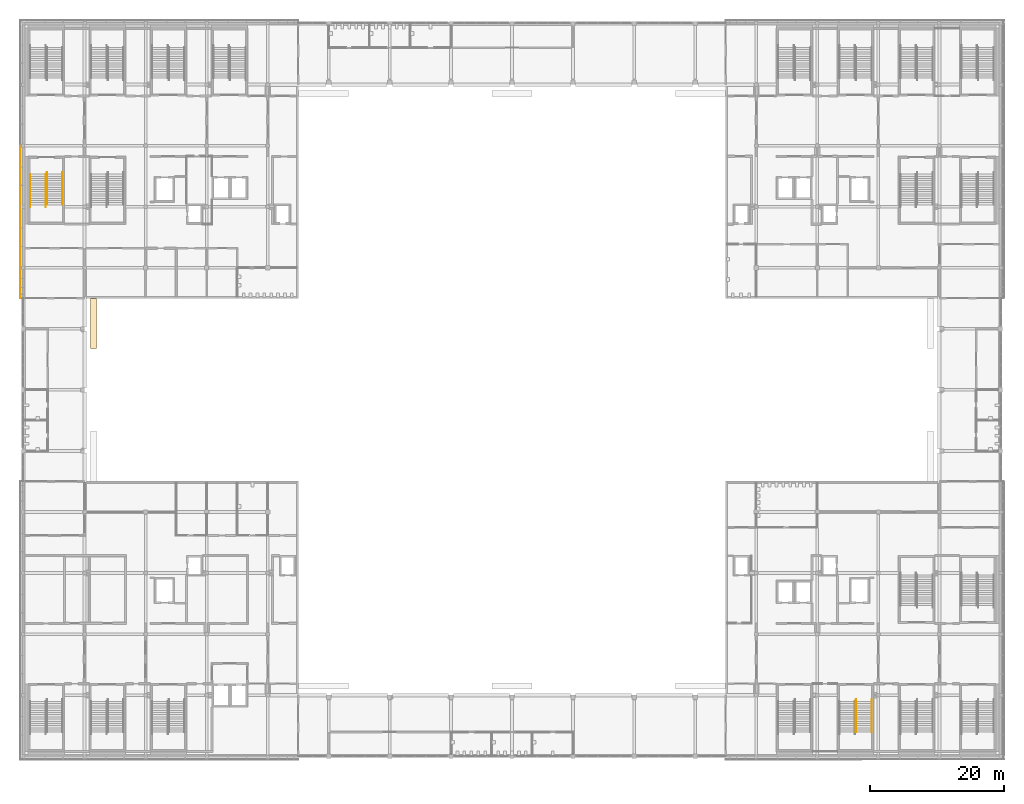
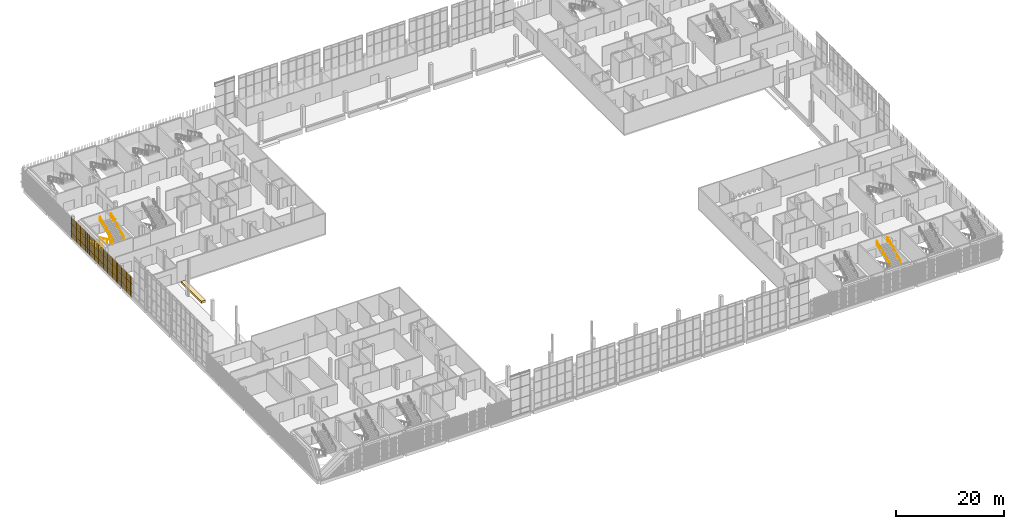
# One storey, part 78 of 91: 6 railings, 3 shading devices, 1 covering.
"""IFC4 building model written with IfcOpenShell, lengths in metres."""

from ifc_helpers import new_model, si_unit, direction, frame, origin, origin_2d, place, context, subcontext, project, spatial, polyline, rectangle, circle, outline, extrude, material, layer, layer_set, type_object, element, save


model = new_model("IFC4")

# Units and contexts
model_context = context("Model", 3, precision=1e-05, world=origin(), true_north=direction((0.0, 1.0)))
body_context = subcontext(model_context, "Body", "Model", "MODEL_VIEW")
ifc_project = project(units=[si_unit("LENGTHUNIT", "METRE"), si_unit("AREAUNIT", "SQUARE_METRE"), si_unit("VOLUMEUNIT", "CUBIC_METRE"), si_unit("PLANEANGLEUNIT", "RADIAN"), si_unit("MASSUNIT", "GRAM", prefix="KILO")], contexts=[model_context])

# Site, building, storey
site_placement = place(None, origin())
site = spatial("IfcSite", under=ifc_project, at=site_placement, CompositionType="ELEMENT")
building_placement = place(site_placement, origin())
building = spatial("IfcBuilding", under=site, at=building_placement, Name="Shirokan Park Arena", CompositionType="ELEMENT")
storey_placement = place(building_placement, frame((0.0, 0.0, 24.570068359375)))
storey = spatial("IfcBuildingStorey", under=building, at=storey_placement, Name="L05", CompositionType="ELEMENT", Elevation=24.570068359375)

# Covering
ifc_material_1 = material(Name="Concrete screed on the tier", Category="concrete")
ifc_layer = layer(ifc_material_1, 0.47998046875)
ifc_layer_set = layer_set([ifc_layer], Name="Concrete screed on the tier 480 mm")
covering_type = type_object("IfcCoveringType", Name="Platform floor infill 480", PredefinedType="FLOORING", material=ifc_layer_set)
covering_placement = place(storey_placement, frame((0.0, 0.0, -0.47998046875)))
element("IfcCovering", 1, at=covering_placement, inside=storey, type_object=covering_type, Name="Wheelchair Platform Floor W2 Upper Tier", PredefinedType="FLOORING", context=body_context, shape_type="SweptSolid", body=[
    extrude(outline(polyline([(10.89990234375, 60.75), (10.89990234375, 68.25), (10.0, 68.25), (10.0, 60.75), (10.89990234375, 60.75)])), origin(), (0.0, 0.0, 1.0), 0.47998046875),
])

# Railings
ifc_material_2 = material(Name="Stainless steel", Category="steel")
railing_type = type_object("IfcRailingType", Name="Stair handrail 900", PredefinedType="HANDRAIL", material=ifc_material_2)
railing_1_placement = place(storey_placement, frame((124.090087890625, 3.576171875, 2.426513671875)))
element("IfcRailing", 2, at=railing_1_placement, inside=storey, type_object=railing_type, Name="Handrail Exit Stair 2.C L05 to L06", PredefinedType="HANDRAIL", context=body_context, shape_type="SweptSolid", body=[
    extrude(circle(Radius=0.02392578125, at=origin_2d()), frame((0.0, 0.0, 0.8759765625), z_axis=(0.0, 0.907029769225, 0.421066500378), x_axis=(-1.0, 0.0, 0.0)), (0.0, 0.0, 1.0), 1.44091796875),
    extrude(circle(Radius=0.02392578125, at=origin_2d()), frame((0.0, 1.306884765625, 1.482421875), z_axis=(0.0, 0.906999720516, 0.421131222998), x_axis=(-1.0, 0.0, 0.0)), (0.0, 0.0, 1.0), 1.440673828125),
    extrude(circle(Radius=0.02392578125, at=origin_2d()), frame((0.0, 2.613525390625, 2.08935546875), z_axis=(0.0, 0.907029769225, 0.421066500378), x_axis=(-1.0, 0.0, 0.0)), (0.0, 0.0, 1.0), 1.44091796875),
    extrude(circle(Radius=0.02392578125, at=origin_2d()), frame((0.0, 3.92041015625, 2.69580078125), z_axis=(0.0, 0.906934982928, 0.421270621741), x_axis=(-1.0, 0.0, 0.0)), (0.0, 0.0, 1.0), 0.720458984375),
    extrude(circle(Radius=0.02392578125, at=origin_2d()), frame((0.0, 4.57373046875, 2.99951171875), z_axis=(0.0, 1.0, 0.0), x_axis=(-1.0, 0.0, 0.0)), (0.0, 0.0, 1.0), 0.300048828125),
    extrude(circle(Radius=0.02099609375, at=origin_2d()), origin(), (0.0, 0.0, 1.0), 0.851806640625),
    extrude(circle(Radius=0.02099609375, at=origin_2d()), frame((0.0, 1.306884765625, 0.606689453125)), (0.0, 0.0, 1.0), 0.851806640625),
    extrude(circle(Radius=0.02099609375, at=origin_2d()), frame((0.0, 2.613525390625, 1.21337890625)), (0.0, 0.0, 1.0), 0.851806640625),
    extrude(circle(Radius=0.02099609375, at=origin_2d()), frame((0.0, 3.92041015625, 1.820068359375)), (0.0, 0.0, 1.0), 0.851806640625),
    extrude(circle(Radius=0.02099609375, at=origin_2d()), frame((0.0, 4.57373046875, 2.12353515625)), (0.0, 0.0, 1.0), 0.851806640625),
    extrude(circle(Radius=0.02099609375, at=origin_2d()), frame((0.0, 4.873779296875, 2.12353515625)), (0.0, 0.0, 1.0), 0.851806640625),
])
railing_2_placement = place(storey_placement, frame((126.409912109375, 3.576171875, 2.426513671875)))
element("IfcRailing", 3, at=railing_2_placement, inside=storey, type_object=railing_type, Name="Handrail Exit Stair 2.C L05 to L06", PredefinedType="HANDRAIL", context=body_context, shape_type="SweptSolid", body=[
    extrude(circle(Radius=0.02392578125, at=origin_2d()), frame((0.0, 0.0, 0.8759765625), z_axis=(0.0, 0.907029769225, 0.421066500378), x_axis=(-1.0, 0.0, 0.0)), (0.0, 0.0, 1.0), 1.44091796875),
    extrude(circle(Radius=0.02392578125, at=origin_2d()), frame((0.0, 1.306884765625, 1.482421875), z_axis=(0.0, 0.906999720516, 0.421131222998), x_axis=(-1.0, 0.0, 0.0)), (0.0, 0.0, 1.0), 1.440673828125),
    extrude(circle(Radius=0.02392578125, at=origin_2d()), frame((0.0, 2.613525390625, 2.08935546875), z_axis=(0.0, 0.907029769225, 0.421066500378), x_axis=(-1.0, 0.0, 0.0)), (0.0, 0.0, 1.0), 1.44091796875),
    extrude(circle(Radius=0.02392578125, at=origin_2d()), frame((0.0, 3.92041015625, 2.69580078125), z_axis=(0.0, 0.906934982928, 0.421270621741), x_axis=(-1.0, 0.0, 0.0)), (0.0, 0.0, 1.0), 0.720458984375),
    extrude(circle(Radius=0.02392578125, at=origin_2d()), frame((0.0, 4.57373046875, 2.99951171875), z_axis=(0.0, 1.0, 0.0), x_axis=(-1.0, 0.0, 0.0)), (0.0, 0.0, 1.0), 0.300048828125),
    extrude(circle(Radius=0.02099609375, at=origin_2d()), origin(), (0.0, 0.0, 1.0), 0.851806640625),
    extrude(circle(Radius=0.02099609375, at=origin_2d()), frame((0.0, 1.306884765625, 0.606689453125)), (0.0, 0.0, 1.0), 0.851806640625),
    extrude(circle(Radius=0.02099609375, at=origin_2d()), frame((0.0, 2.613525390625, 1.21337890625)), (0.0, 0.0, 1.0), 0.851806640625),
    extrude(circle(Radius=0.02099609375, at=origin_2d()), frame((0.0, 3.92041015625, 1.820068359375)), (0.0, 0.0, 1.0), 0.851806640625),
    extrude(circle(Radius=0.02099609375, at=origin_2d()), frame((0.0, 4.57373046875, 2.12353515625)), (0.0, 0.0, 1.0), 0.851806640625),
    extrude(circle(Radius=0.02099609375, at=origin_2d()), frame((0.0, 4.873779296875, 2.12353515625)), (0.0, 0.0, 1.0), 0.851806640625),
])
railing_3_placement = place(storey_placement, frame((0.989990234375, 86.75, 0.151611328125)))
element("IfcRailing", 4, at=railing_3_placement, inside=storey, type_object=railing_type, Name="Handrail Exit Stair 4.E L05 to L06", PredefinedType="HANDRAIL", context=body_context, shape_type="SweptSolid", body=[
    extrude(circle(Radius=0.02392578125, at=origin_2d()), frame((0.0, 0.0, 0.8759765625), z_axis=(0.0, -0.907029769225, 0.421066500378), x_axis=(1.0, 0.0, 0.0)), (0.0, 0.0, 1.0), 1.44091796875),
    extrude(circle(Radius=0.02392578125, at=origin_2d()), frame((0.0, -1.306884765625, 1.482421875), z_axis=(0.0, -0.906999720516, 0.421131222998), x_axis=(1.0, 0.0, 0.0)), (0.0, 0.0, 1.0), 1.440673828125),
    extrude(circle(Radius=0.02392578125, at=origin_2d()), frame((0.0, -2.613525390625, 2.08935546875), z_axis=(0.0, -0.907029769225, 0.421066500378), x_axis=(1.0, 0.0, 0.0)), (0.0, 0.0, 1.0), 1.44091796875),
    extrude(circle(Radius=0.02392578125, at=origin_2d()), frame((0.0, -3.92041015625, 2.69580078125), z_axis=(0.0, -0.907064445915, 0.420991794405), x_axis=(1.0, 0.0, 0.0)), (0.0, 0.0, 1.0), 0.72021484375),
    extrude(circle(Radius=0.02392578125, at=origin_2d()), frame((0.0, -4.57373046875, 2.9990234375), z_axis=(0.0, -1.0, 0.0), x_axis=(1.0, 0.0, 0.0)), (0.0, 0.0, 1.0), 0.300048828125),
    extrude(circle(Radius=0.02099609375, at=origin_2d()), origin(), (0.0, 0.0, 1.0), 0.851806640625),
    extrude(circle(Radius=0.02099609375, at=origin_2d()), frame((0.0, -1.306884765625, 0.606689453125)), (0.0, 0.0, 1.0), 0.851806640625),
    extrude(circle(Radius=0.02099609375, at=origin_2d()), frame((0.0, -2.613525390625, 1.21337890625)), (0.0, 0.0, 1.0), 0.851806640625),
    extrude(circle(Radius=0.02099609375, at=origin_2d()), frame((0.0, -3.92041015625, 1.820068359375)), (0.0, 0.0, 1.0), 0.851806640625),
    extrude(circle(Radius=0.02099609375, at=origin_2d()), frame((0.0, -4.57373046875, 2.123291015625)), (0.0, 0.0, 1.0), 0.851806640625),
    extrude(circle(Radius=0.02099609375, at=origin_2d()), frame((0.0, -4.873779296875, 2.123291015625)), (0.0, 0.0, 1.0), 0.851806640625),
])
railing_4_placement = place(storey_placement, frame((3.31005859375, 86.75, 0.151611328125)))
element("IfcRailing", 5, at=railing_4_placement, inside=storey, type_object=railing_type, Name="Handrail Exit Stair 4.E L05 to L06", PredefinedType="HANDRAIL", context=body_context, shape_type="SweptSolid", body=[
    extrude(circle(Radius=0.02392578125, at=origin_2d()), frame((0.0, 0.0, 0.8759765625), z_axis=(0.0, -0.907029769225, 0.421066500378), x_axis=(1.0, 0.0, 0.0)), (0.0, 0.0, 1.0), 1.44091796875),
    extrude(circle(Radius=0.02392578125, at=origin_2d()), frame((0.0, -1.306884765625, 1.482421875), z_axis=(0.0, -0.906999720516, 0.421131222998), x_axis=(1.0, 0.0, 0.0)), (0.0, 0.0, 1.0), 1.440673828125),
    extrude(circle(Radius=0.02392578125, at=origin_2d()), frame((0.0, -2.613525390625, 2.08935546875), z_axis=(0.0, -0.907029769225, 0.421066500378), x_axis=(1.0, 0.0, 0.0)), (0.0, 0.0, 1.0), 1.44091796875),
    extrude(circle(Radius=0.02392578125, at=origin_2d()), frame((0.0, -3.92041015625, 2.69580078125), z_axis=(0.0, -0.907064445915, 0.420991794405), x_axis=(1.0, 0.0, 0.0)), (0.0, 0.0, 1.0), 0.72021484375),
    extrude(circle(Radius=0.02392578125, at=origin_2d()), frame((0.0, -4.57373046875, 2.9990234375), z_axis=(0.0, -1.0, 0.0), x_axis=(1.0, 0.0, 0.0)), (0.0, 0.0, 1.0), 0.300048828125),
    extrude(circle(Radius=0.02099609375, at=origin_2d()), origin(), (0.0, 0.0, 1.0), 0.851806640625),
    extrude(circle(Radius=0.02099609375, at=origin_2d()), frame((0.0, -1.306884765625, 0.606689453125)), (0.0, 0.0, 1.0), 0.851806640625),
    extrude(circle(Radius=0.02099609375, at=origin_2d()), frame((0.0, -2.613525390625, 1.21337890625)), (0.0, 0.0, 1.0), 0.851806640625),
    extrude(circle(Radius=0.02099609375, at=origin_2d()), frame((0.0, -3.92041015625, 1.820068359375)), (0.0, 0.0, 1.0), 0.851806640625),
    extrude(circle(Radius=0.02099609375, at=origin_2d()), frame((0.0, -4.57373046875, 2.123291015625)), (0.0, 0.0, 1.0), 0.851806640625),
    extrude(circle(Radius=0.02099609375, at=origin_2d()), frame((0.0, -4.873779296875, 2.123291015625)), (0.0, 0.0, 1.0), 0.851806640625),
])
railing_5_placement = place(storey_placement, frame((3.489990234375, 82.17626953125, 2.426513671875)))
element("IfcRailing", 6, at=railing_5_placement, inside=storey, type_object=railing_type, Name="Handrail Exit Stair 4.E L05 to L06", PredefinedType="HANDRAIL", context=body_context, shape_type="SweptSolid", body=[
    extrude(circle(Radius=0.02392578125, at=origin_2d()), frame((0.0, 0.0, 0.8759765625), z_axis=(0.0, 0.906999720516, 0.421131222998), x_axis=(-1.0, 0.0, 0.0)), (0.0, 0.0, 1.0), 1.440673828125),
    extrude(circle(Radius=0.02392578125, at=origin_2d()), frame((0.0, 1.306640625, 1.482421875), z_axis=(0.0, 0.907029769225, 0.421066500378), x_axis=(-1.0, 0.0, 0.0)), (0.0, 0.0, 1.0), 1.44091796875),
    extrude(circle(Radius=0.02392578125, at=origin_2d()), frame((0.0, 2.613525390625, 2.08935546875), z_axis=(0.0, 0.907029769225, 0.421066500378), x_axis=(-1.0, 0.0, 0.0)), (0.0, 0.0, 1.0), 1.44091796875),
    extrude(circle(Radius=0.02392578125, at=origin_2d()), frame((0.0, 3.92041015625, 2.69580078125), z_axis=(0.0, 0.906934982928, 0.421270621741), x_axis=(-1.0, 0.0, 0.0)), (0.0, 0.0, 1.0), 0.720458984375),
    extrude(circle(Radius=0.02392578125, at=origin_2d()), frame((0.0, 4.57373046875, 2.99951171875), z_axis=(0.0, 1.0, 0.0), x_axis=(-1.0, 0.0, 0.0)), (0.0, 0.0, 1.0), 0.300048828125),
    extrude(circle(Radius=0.02099609375, at=origin_2d()), origin(), (0.0, 0.0, 1.0), 0.851806640625),
    extrude(circle(Radius=0.02099609375, at=origin_2d()), frame((0.0, 1.306640625, 0.606689453125)), (0.0, 0.0, 1.0), 0.851806640625),
    extrude(circle(Radius=0.02099609375, at=origin_2d()), frame((0.0, 2.613525390625, 1.21337890625)), (0.0, 0.0, 1.0), 0.851806640625),
    extrude(circle(Radius=0.02099609375, at=origin_2d()), frame((0.0, 3.92041015625, 1.820068359375)), (0.0, 0.0, 1.0), 0.851806640625),
    extrude(circle(Radius=0.02099609375, at=origin_2d()), frame((0.0, 4.57373046875, 2.12353515625)), (0.0, 0.0, 1.0), 0.851806640625),
    extrude(circle(Radius=0.02099609375, at=origin_2d()), frame((0.0, 4.873779296875, 2.12353515625)), (0.0, 0.0, 1.0), 0.851806640625),
])
railing_6_placement = place(storey_placement, frame((5.81005859375, 82.17626953125, 2.426513671875)))
element("IfcRailing", 7, at=railing_6_placement, inside=storey, type_object=railing_type, Name="Handrail Exit Stair 4.E L05 to L06", PredefinedType="HANDRAIL", context=body_context, shape_type="SweptSolid", body=[
    extrude(circle(Radius=0.02392578125, at=origin_2d()), frame((0.0, 0.0, 0.8759765625), z_axis=(0.0, 0.906999720516, 0.421131222998), x_axis=(-1.0, 0.0, 0.0)), (0.0, 0.0, 1.0), 1.440673828125),
    extrude(circle(Radius=0.02392578125, at=origin_2d()), frame((0.0, 1.306640625, 1.482421875), z_axis=(0.0, 0.907029769225, 0.421066500378), x_axis=(-1.0, 0.0, 0.0)), (0.0, 0.0, 1.0), 1.44091796875),
    extrude(circle(Radius=0.02392578125, at=origin_2d()), frame((0.0, 2.613525390625, 2.08935546875), z_axis=(0.0, 0.907029769225, 0.421066500378), x_axis=(-1.0, 0.0, 0.0)), (0.0, 0.0, 1.0), 1.44091796875),
    extrude(circle(Radius=0.02392578125, at=origin_2d()), frame((0.0, 3.92041015625, 2.69580078125), z_axis=(0.0, 0.906934982928, 0.421270621741), x_axis=(-1.0, 0.0, 0.0)), (0.0, 0.0, 1.0), 0.720458984375),
    extrude(circle(Radius=0.02392578125, at=origin_2d()), frame((0.0, 4.57373046875, 2.99951171875), z_axis=(0.0, 1.0, 0.0), x_axis=(-1.0, 0.0, 0.0)), (0.0, 0.0, 1.0), 0.300048828125),
    extrude(circle(Radius=0.02099609375, at=origin_2d()), origin(), (0.0, 0.0, 1.0), 0.851806640625),
    extrude(circle(Radius=0.02099609375, at=origin_2d()), frame((0.0, 1.306640625, 0.606689453125)), (0.0, 0.0, 1.0), 0.851806640625),
    extrude(circle(Radius=0.02099609375, at=origin_2d()), frame((0.0, 2.613525390625, 1.21337890625)), (0.0, 0.0, 1.0), 0.851806640625),
    extrude(circle(Radius=0.02099609375, at=origin_2d()), frame((0.0, 3.92041015625, 1.820068359375)), (0.0, 0.0, 1.0), 0.851806640625),
    extrude(circle(Radius=0.02099609375, at=origin_2d()), frame((0.0, 4.57373046875, 2.12353515625)), (0.0, 0.0, 1.0), 0.851806640625),
    extrude(circle(Radius=0.02099609375, at=origin_2d()), frame((0.0, 4.873779296875, 2.12353515625)), (0.0, 0.0, 1.0), 0.851806640625),
])

# Shading devices
ifc_material_3 = material(Name="Timber louvre veil (cedar)", Category="wood")
shading_device_type = type_object("IfcShadingDeviceType", Name="Timber louvre veil panel", PredefinedType="JALOUSIE", material=ifc_material_3)
shading_device_1_placement = place(storey_placement, origin())
element("IfcShadingDevice", 8, at=shading_device_1_placement, inside=storey, type_object=shading_device_type, Name="Timber louvre veil west bay 3 L05", PredefinedType="JALOUSIE", context=body_context, shape_type="SweptSolid", body=[
    extrude(rectangle(XDim=0.050048828125, YDim=0.080078125, at=origin_2d()), frame((-0.485107421875, 90.848388671875, 0.0), z_axis=(0.0, 0.0, 1.0), x_axis=(0.0, -1.0, 0.0)), (0.0, 0.0, 1.0), 4.550048828125),
    extrude(rectangle(XDim=0.050048828125, YDim=0.080078125, at=origin_2d()), frame((-0.485107421875, 90.544921875, 0.0), z_axis=(0.0, 0.0, 1.0), x_axis=(0.0, -1.0, 0.0)), (0.0, 0.0, 1.0), 4.550048828125),
    extrude(rectangle(XDim=0.050048828125, YDim=0.080078125, at=origin_2d()), frame((-0.485107421875, 90.24169921875, 0.0), z_axis=(0.0, 0.0, 1.0), x_axis=(0.0, -1.0, 0.0)), (0.0, 0.0, 1.0), 4.550048828125),
    extrude(rectangle(XDim=0.050048828125, YDim=0.080078125, at=origin_2d()), frame((-0.485107421875, 89.938232421875, 0.0), z_axis=(0.0, 0.0, 1.0), x_axis=(0.0, -1.0, 0.0)), (0.0, 0.0, 1.0), 4.550048828125),
    extrude(rectangle(XDim=0.050048828125, YDim=0.080078125, at=origin_2d()), frame((-0.485107421875, 89.635009765625, 0.0), z_axis=(0.0, 0.0, 1.0), x_axis=(0.0, -1.0, 0.0)), (0.0, 0.0, 1.0), 4.550048828125),
    extrude(rectangle(XDim=0.050048828125, YDim=0.080078125, at=origin_2d()), frame((-0.485107421875, 89.331787109375, 0.0), z_axis=(0.0, 0.0, 1.0), x_axis=(0.0, -1.0, 0.0)), (0.0, 0.0, 1.0), 4.550048828125),
    extrude(rectangle(XDim=0.050048828125, YDim=0.080078125, at=origin_2d()), frame((-0.485107421875, 89.0283203125, 0.0), z_axis=(0.0, 0.0, 1.0), x_axis=(0.0, -1.0, 0.0)), (0.0, 0.0, 1.0), 4.550048828125),
    extrude(rectangle(XDim=0.050048828125, YDim=0.080078125, at=origin_2d()), frame((-0.485107421875, 88.72509765625, 0.0), z_axis=(0.0, 0.0, 1.0), x_axis=(0.0, -1.0, 0.0)), (0.0, 0.0, 1.0), 4.550048828125),
    extrude(rectangle(XDim=0.050048828125, YDim=0.080078125, at=origin_2d()), frame((-0.485107421875, 88.421630859375, 0.0), z_axis=(0.0, 0.0, 1.0), x_axis=(0.0, -1.0, 0.0)), (0.0, 0.0, 1.0), 4.550048828125),
    extrude(rectangle(XDim=0.050048828125, YDim=0.080078125, at=origin_2d()), frame((-0.485107421875, 88.118408203125, 0.0), z_axis=(0.0, 0.0, 1.0), x_axis=(0.0, -1.0, 0.0)), (0.0, 0.0, 1.0), 4.550048828125),
    extrude(rectangle(XDim=0.050048828125, YDim=0.080078125, at=origin_2d()), frame((-0.485107421875, 87.81494140625, 0.0), z_axis=(0.0, 0.0, 1.0), x_axis=(0.0, -1.0, 0.0)), (0.0, 0.0, 1.0), 4.550048828125),
    extrude(rectangle(XDim=0.050048828125, YDim=0.080078125, at=origin_2d()), frame((-0.485107421875, 87.51171875, 0.0), z_axis=(0.0, 0.0, 1.0), x_axis=(0.0, -1.0, 0.0)), (0.0, 0.0, 1.0), 4.550048828125),
    extrude(rectangle(XDim=0.050048828125, YDim=0.080078125, at=origin_2d()), frame((-0.485107421875, 87.208251953125, 0.0), z_axis=(0.0, 0.0, 1.0), x_axis=(0.0, -1.0, 0.0)), (0.0, 0.0, 1.0), 4.550048828125),
    extrude(rectangle(XDim=0.050048828125, YDim=0.080078125, at=origin_2d()), frame((-0.485107421875, 86.905029296875, 0.0), z_axis=(0.0, 0.0, 1.0), x_axis=(0.0, -1.0, 0.0)), (0.0, 0.0, 1.0), 4.550048828125),
    extrude(rectangle(XDim=0.050048828125, YDim=0.080078125, at=origin_2d()), frame((-0.485107421875, 86.6015625, 0.0), z_axis=(0.0, 0.0, 1.0), x_axis=(0.0, -1.0, 0.0)), (0.0, 0.0, 1.0), 4.550048828125),
    extrude(rectangle(XDim=0.050048828125, YDim=0.080078125, at=origin_2d()), frame((-0.485107421875, 86.29833984375, 0.0), z_axis=(0.0, 0.0, 1.0), x_axis=(0.0, -1.0, 0.0)), (0.0, 0.0, 1.0), 4.550048828125),
    extrude(rectangle(XDim=0.050048828125, YDim=0.080078125, at=origin_2d()), frame((-0.485107421875, 85.9951171875, 0.0), z_axis=(0.0, 0.0, 1.0), x_axis=(0.0, -1.0, 0.0)), (0.0, 0.0, 1.0), 4.550048828125),
    extrude(rectangle(XDim=0.050048828125, YDim=0.080078125, at=origin_2d()), frame((-0.485107421875, 85.691650390625, 0.0), z_axis=(0.0, 0.0, 1.0), x_axis=(0.0, -1.0, 0.0)), (0.0, 0.0, 1.0), 4.550048828125),
    extrude(rectangle(XDim=0.050048828125, YDim=0.080078125, at=origin_2d()), frame((-0.485107421875, 85.388427734375, 0.0), z_axis=(0.0, 0.0, 1.0), x_axis=(0.0, -1.0, 0.0)), (0.0, 0.0, 1.0), 4.550048828125),
    extrude(rectangle(XDim=0.050048828125, YDim=0.080078125, at=origin_2d()), frame((-0.485107421875, 85.0849609375, 0.0), z_axis=(0.0, 0.0, 1.0), x_axis=(0.0, -1.0, 0.0)), (0.0, 0.0, 1.0), 4.550048828125),
    extrude(rectangle(XDim=0.050048828125, YDim=0.080078125, at=origin_2d()), frame((-0.485107421875, 84.78173828125, 0.0), z_axis=(0.0, 0.0, 1.0), x_axis=(0.0, -1.0, 0.0)), (0.0, 0.0, 1.0), 4.550048828125),
    extrude(rectangle(XDim=0.050048828125, YDim=0.080078125, at=origin_2d()), frame((-0.485107421875, 84.478271484375, 0.0), z_axis=(0.0, 0.0, 1.0), x_axis=(0.0, -1.0, 0.0)), (0.0, 0.0, 1.0), 4.550048828125),
    extrude(rectangle(XDim=0.050048828125, YDim=0.080078125, at=origin_2d()), frame((-0.485107421875, 84.175048828125, 0.0), z_axis=(0.0, 0.0, 1.0), x_axis=(0.0, -1.0, 0.0)), (0.0, 0.0, 1.0), 4.550048828125),
    extrude(rectangle(XDim=0.050048828125, YDim=0.080078125, at=origin_2d()), frame((-0.485107421875, 83.87158203125, 0.0), z_axis=(0.0, 0.0, 1.0), x_axis=(0.0, -1.0, 0.0)), (0.0, 0.0, 1.0), 4.550048828125),
    extrude(rectangle(XDim=0.050048828125, YDim=0.080078125, at=origin_2d()), frame((-0.485107421875, 83.568359375, 0.0), z_axis=(0.0, 0.0, 1.0), x_axis=(0.0, -1.0, 0.0)), (0.0, 0.0, 1.0), 4.550048828125),
    extrude(rectangle(XDim=0.050048828125, YDim=0.080078125, at=origin_2d()), frame((-0.485107421875, 83.264892578125, 0.0), z_axis=(0.0, 0.0, 1.0), x_axis=(0.0, -1.0, 0.0)), (0.0, 0.0, 1.0), 4.550048828125),
    extrude(rectangle(XDim=0.050048828125, YDim=0.080078125, at=origin_2d()), frame((-0.485107421875, 82.961669921875, 0.0), z_axis=(0.0, 0.0, 1.0), x_axis=(0.0, -1.0, 0.0)), (0.0, 0.0, 1.0), 4.550048828125),
    extrude(rectangle(XDim=0.050048828125, YDim=0.080078125, at=origin_2d()), frame((-0.485107421875, 82.658447265625, 0.0), z_axis=(0.0, 0.0, 1.0), x_axis=(0.0, -1.0, 0.0)), (0.0, 0.0, 1.0), 4.550048828125),
    extrude(rectangle(XDim=0.050048828125, YDim=0.080078125, at=origin_2d()), frame((-0.485107421875, 82.35498046875, 0.0), z_axis=(0.0, 0.0, 1.0), x_axis=(0.0, -1.0, 0.0)), (0.0, 0.0, 1.0), 4.550048828125),
    extrude(rectangle(XDim=0.050048828125, YDim=0.080078125, at=origin_2d()), frame((-0.485107421875, 82.0517578125, 0.0), z_axis=(0.0, 0.0, 1.0), x_axis=(0.0, -1.0, 0.0)), (0.0, 0.0, 1.0), 4.550048828125),
    extrude(rectangle(XDim=9.10009765625, YDim=0.050048828125, at=origin_2d()), frame((-0.469970703125, 86.449951171875, 1.059814453125), z_axis=(0.0, 0.0, 1.0), x_axis=(0.0, -1.0, 0.0)), (0.0, 0.0, 1.0), 0.080078125),
    extrude(rectangle(XDim=9.10009765625, YDim=0.050048828125, at=origin_2d()), frame((-0.469970703125, 86.449951171875, 2.909912109375), z_axis=(0.0, 0.0, 1.0), x_axis=(0.0, -1.0, 0.0)), (0.0, 0.0, 1.0), 0.080078125),
])
shading_device_2_placement = place(storey_placement, origin())
element("IfcShadingDevice", 9, at=shading_device_2_placement, inside=storey, type_object=shading_device_type, Name="Timber louvre veil west bay 4 L05", PredefinedType="JALOUSIE", context=body_context, shape_type="SweptSolid", body=[
    extrude(rectangle(XDim=0.050048828125, YDim=0.080078125, at=origin_2d()), frame((-0.485107421875, 81.748291015625, 0.0), z_axis=(0.0, 0.0, 1.0), x_axis=(0.0, -1.0, 0.0)), (0.0, 0.0, 1.0), 4.550048828125),
    extrude(rectangle(XDim=0.050048828125, YDim=0.080078125, at=origin_2d()), frame((-0.485107421875, 81.445068359375, 0.0), z_axis=(0.0, 0.0, 1.0), x_axis=(0.0, -1.0, 0.0)), (0.0, 0.0, 1.0), 4.550048828125),
    extrude(rectangle(XDim=0.050048828125, YDim=0.080078125, at=origin_2d()), frame((-0.485107421875, 81.1416015625, 0.0), z_axis=(0.0, 0.0, 1.0), x_axis=(0.0, -1.0, 0.0)), (0.0, 0.0, 1.0), 4.550048828125),
    extrude(rectangle(XDim=0.050048828125, YDim=0.080078125, at=origin_2d()), frame((-0.485107421875, 80.83837890625, 0.0), z_axis=(0.0, 0.0, 1.0), x_axis=(0.0, -1.0, 0.0)), (0.0, 0.0, 1.0), 4.550048828125),
    extrude(rectangle(XDim=0.050048828125, YDim=0.080078125, at=origin_2d()), frame((-0.485107421875, 80.534912109375, 0.0), z_axis=(0.0, 0.0, 1.0), x_axis=(0.0, -1.0, 0.0)), (0.0, 0.0, 1.0), 4.550048828125),
    extrude(rectangle(XDim=0.050048828125, YDim=0.080078125, at=origin_2d()), frame((-0.485107421875, 80.231689453125, 0.0), z_axis=(0.0, 0.0, 1.0), x_axis=(0.0, -1.0, 0.0)), (0.0, 0.0, 1.0), 4.550048828125),
    extrude(rectangle(XDim=0.050048828125, YDim=0.080078125, at=origin_2d()), frame((-0.485107421875, 79.92822265625, 0.0), z_axis=(0.0, 0.0, 1.0), x_axis=(0.0, -1.0, 0.0)), (0.0, 0.0, 1.0), 4.550048828125),
    extrude(rectangle(XDim=0.050048828125, YDim=0.080078125, at=origin_2d()), frame((-0.485107421875, 79.625, 0.0), z_axis=(0.0, 0.0, 1.0), x_axis=(0.0, -1.0, 0.0)), (0.0, 0.0, 1.0), 4.550048828125),
    extrude(rectangle(XDim=0.050048828125, YDim=0.080078125, at=origin_2d()), frame((-0.485107421875, 79.32177734375, 0.0), z_axis=(0.0, 0.0, 1.0), x_axis=(0.0, -1.0, 0.0)), (0.0, 0.0, 1.0), 4.550048828125),
    extrude(rectangle(XDim=0.050048828125, YDim=0.080078125, at=origin_2d()), frame((-0.485107421875, 79.018310546875, 0.0), z_axis=(0.0, 0.0, 1.0), x_axis=(0.0, -1.0, 0.0)), (0.0, 0.0, 1.0), 4.550048828125),
    extrude(rectangle(XDim=0.050048828125, YDim=0.080078125, at=origin_2d()), frame((-0.485107421875, 78.715087890625, 0.0), z_axis=(0.0, 0.0, 1.0), x_axis=(0.0, -1.0, 0.0)), (0.0, 0.0, 1.0), 4.550048828125),
    extrude(rectangle(XDim=0.050048828125, YDim=0.080078125, at=origin_2d()), frame((-0.485107421875, 78.41162109375, 0.0), z_axis=(0.0, 0.0, 1.0), x_axis=(0.0, -1.0, 0.0)), (0.0, 0.0, 1.0), 4.550048828125),
    extrude(rectangle(XDim=0.050048828125, YDim=0.080078125, at=origin_2d()), frame((-0.485107421875, 78.1083984375, 0.0), z_axis=(0.0, 0.0, 1.0), x_axis=(0.0, -1.0, 0.0)), (0.0, 0.0, 1.0), 4.550048828125),
    extrude(rectangle(XDim=0.050048828125, YDim=0.080078125, at=origin_2d()), frame((-0.485107421875, 77.804931640625, 0.0), z_axis=(0.0, 0.0, 1.0), x_axis=(0.0, -1.0, 0.0)), (0.0, 0.0, 1.0), 4.550048828125),
    extrude(rectangle(XDim=0.050048828125, YDim=0.080078125, at=origin_2d()), frame((-0.485107421875, 77.501708984375, 0.0), z_axis=(0.0, 0.0, 1.0), x_axis=(0.0, -1.0, 0.0)), (0.0, 0.0, 1.0), 4.550048828125),
    extrude(rectangle(XDim=0.050048828125, YDim=0.080078125, at=origin_2d()), frame((-0.485107421875, 77.1982421875, 0.0), z_axis=(0.0, 0.0, 1.0), x_axis=(0.0, -1.0, 0.0)), (0.0, 0.0, 1.0), 4.550048828125),
    extrude(rectangle(XDim=0.050048828125, YDim=0.080078125, at=origin_2d()), frame((-0.485107421875, 76.89501953125, 0.0), z_axis=(0.0, 0.0, 1.0), x_axis=(0.0, -1.0, 0.0)), (0.0, 0.0, 1.0), 4.550048828125),
    extrude(rectangle(XDim=0.050048828125, YDim=0.080078125, at=origin_2d()), frame((-0.485107421875, 76.591552734375, 0.0), z_axis=(0.0, 0.0, 1.0), x_axis=(0.0, -1.0, 0.0)), (0.0, 0.0, 1.0), 4.550048828125),
    extrude(rectangle(XDim=0.050048828125, YDim=0.080078125, at=origin_2d()), frame((-0.485107421875, 76.288330078125, 0.0), z_axis=(0.0, 0.0, 1.0), x_axis=(0.0, -1.0, 0.0)), (0.0, 0.0, 1.0), 4.550048828125),
    extrude(rectangle(XDim=0.050048828125, YDim=0.080078125, at=origin_2d()), frame((-0.485107421875, 75.985107421875, 0.0), z_axis=(0.0, 0.0, 1.0), x_axis=(0.0, -1.0, 0.0)), (0.0, 0.0, 1.0), 4.550048828125),
    extrude(rectangle(XDim=0.050048828125, YDim=0.080078125, at=origin_2d()), frame((-0.485107421875, 75.681640625, 0.0), z_axis=(0.0, 0.0, 1.0), x_axis=(0.0, -1.0, 0.0)), (0.0, 0.0, 1.0), 4.550048828125),
    extrude(rectangle(XDim=0.050048828125, YDim=0.080078125, at=origin_2d()), frame((-0.485107421875, 75.37841796875, 0.0), z_axis=(0.0, 0.0, 1.0), x_axis=(0.0, -1.0, 0.0)), (0.0, 0.0, 1.0), 4.550048828125),
    extrude(rectangle(XDim=0.050048828125, YDim=0.080078125, at=origin_2d()), frame((-0.485107421875, 75.074951171875, 0.0), z_axis=(0.0, 0.0, 1.0), x_axis=(0.0, -1.0, 0.0)), (0.0, 0.0, 1.0), 4.550048828125),
    extrude(rectangle(XDim=0.050048828125, YDim=0.080078125, at=origin_2d()), frame((-0.485107421875, 74.771728515625, 0.0), z_axis=(0.0, 0.0, 1.0), x_axis=(0.0, -1.0, 0.0)), (0.0, 0.0, 1.0), 4.550048828125),
    extrude(rectangle(XDim=0.050048828125, YDim=0.080078125, at=origin_2d()), frame((-0.485107421875, 74.46826171875, 0.0), z_axis=(0.0, 0.0, 1.0), x_axis=(0.0, -1.0, 0.0)), (0.0, 0.0, 1.0), 4.550048828125),
    extrude(rectangle(XDim=0.050048828125, YDim=0.080078125, at=origin_2d()), frame((-0.485107421875, 74.1650390625, 0.0), z_axis=(0.0, 0.0, 1.0), x_axis=(0.0, -1.0, 0.0)), (0.0, 0.0, 1.0), 4.550048828125),
    extrude(rectangle(XDim=0.050048828125, YDim=0.080078125, at=origin_2d()), frame((-0.485107421875, 73.861572265625, 0.0), z_axis=(0.0, 0.0, 1.0), x_axis=(0.0, -1.0, 0.0)), (0.0, 0.0, 1.0), 4.550048828125),
    extrude(rectangle(XDim=0.050048828125, YDim=0.080078125, at=origin_2d()), frame((-0.485107421875, 73.558349609375, 0.0), z_axis=(0.0, 0.0, 1.0), x_axis=(0.0, -1.0, 0.0)), (0.0, 0.0, 1.0), 4.550048828125),
    extrude(rectangle(XDim=0.050048828125, YDim=0.080078125, at=origin_2d()), frame((-0.485107421875, 73.2548828125, 0.0), z_axis=(0.0, 0.0, 1.0), x_axis=(0.0, -1.0, 0.0)), (0.0, 0.0, 1.0), 4.550048828125),
    extrude(rectangle(XDim=0.050048828125, YDim=0.080078125, at=origin_2d()), frame((-0.485107421875, 72.95166015625, 0.0), z_axis=(0.0, 0.0, 1.0), x_axis=(0.0, -1.0, 0.0)), (0.0, 0.0, 1.0), 4.550048828125),
    extrude(rectangle(XDim=9.10009765625, YDim=0.050048828125, at=origin_2d()), frame((-0.469970703125, 77.35009765625, 1.059814453125), z_axis=(0.0, 0.0, 1.0), x_axis=(0.0, -1.0, 0.0)), (0.0, 0.0, 1.0), 0.080078125),
    extrude(rectangle(XDim=9.10009765625, YDim=0.050048828125, at=origin_2d()), frame((-0.469970703125, 77.35009765625, 2.909912109375), z_axis=(0.0, 0.0, 1.0), x_axis=(0.0, -1.0, 0.0)), (0.0, 0.0, 1.0), 0.080078125),
])
shading_device_3_placement = place(storey_placement, origin())
element("IfcShadingDevice", 10, at=shading_device_3_placement, inside=storey, type_object=shading_device_type, Name="Timber louvre veil west bay 5 L05", PredefinedType="JALOUSIE", context=body_context, shape_type="SweptSolid", body=[
    extrude(rectangle(XDim=0.050048828125, YDim=0.080078125, at=origin_2d()), frame((-0.485107421875, 72.6484375, 0.0), z_axis=(0.0, 0.0, 1.0), x_axis=(0.0, -1.0, 0.0)), (0.0, 0.0, 1.0), 4.550048828125),
    extrude(rectangle(XDim=0.050048828125, YDim=0.080078125, at=origin_2d()), frame((-0.485107421875, 72.344970703125, 0.0), z_axis=(0.0, 0.0, 1.0), x_axis=(0.0, -1.0, 0.0)), (0.0, 0.0, 1.0), 4.550048828125),
    extrude(rectangle(XDim=0.050048828125, YDim=0.080078125, at=origin_2d()), frame((-0.485107421875, 72.041748046875, 0.0), z_axis=(0.0, 0.0, 1.0), x_axis=(0.0, -1.0, 0.0)), (0.0, 0.0, 1.0), 4.550048828125),
    extrude(rectangle(XDim=0.050048828125, YDim=0.080078125, at=origin_2d()), frame((-0.485107421875, 71.73828125, 0.0), z_axis=(0.0, 0.0, 1.0), x_axis=(0.0, -1.0, 0.0)), (0.0, 0.0, 1.0), 4.550048828125),
    extrude(rectangle(XDim=0.050048828125, YDim=0.080078125, at=origin_2d()), frame((-0.485107421875, 71.43505859375, 0.0), z_axis=(0.0, 0.0, 1.0), x_axis=(0.0, -1.0, 0.0)), (0.0, 0.0, 1.0), 4.550048828125),
    extrude(rectangle(XDim=0.050048828125, YDim=0.080078125, at=origin_2d()), frame((-0.485107421875, 71.131591796875, 0.0), z_axis=(0.0, 0.0, 1.0), x_axis=(0.0, -1.0, 0.0)), (0.0, 0.0, 1.0), 4.550048828125),
    extrude(rectangle(XDim=0.050048828125, YDim=0.080078125, at=origin_2d()), frame((-0.485107421875, 70.828369140625, 0.0), z_axis=(0.0, 0.0, 1.0), x_axis=(0.0, -1.0, 0.0)), (0.0, 0.0, 1.0), 4.550048828125),
    extrude(rectangle(XDim=0.050048828125, YDim=0.080078125, at=origin_2d()), frame((-0.485107421875, 70.52490234375, 0.0), z_axis=(0.0, 0.0, 1.0), x_axis=(0.0, -1.0, 0.0)), (0.0, 0.0, 1.0), 4.550048828125),
    extrude(rectangle(XDim=0.050048828125, YDim=0.080078125, at=origin_2d()), frame((-0.485107421875, 70.2216796875, 0.0), z_axis=(0.0, 0.0, 1.0), x_axis=(0.0, -1.0, 0.0)), (0.0, 0.0, 1.0), 4.550048828125),
    extrude(rectangle(XDim=0.050048828125, YDim=0.080078125, at=origin_2d()), frame((-0.485107421875, 69.918212890625, 0.0), z_axis=(0.0, 0.0, 1.0), x_axis=(0.0, -1.0, 0.0)), (0.0, 0.0, 1.0), 4.550048828125),
    extrude(rectangle(XDim=0.050048828125, YDim=0.080078125, at=origin_2d()), frame((-0.485107421875, 69.614990234375, 0.0), z_axis=(0.0, 0.0, 1.0), x_axis=(0.0, -1.0, 0.0)), (0.0, 0.0, 1.0), 4.550048828125),
    extrude(rectangle(XDim=0.050048828125, YDim=0.080078125, at=origin_2d()), frame((-0.485107421875, 69.311767578125, 0.0), z_axis=(0.0, 0.0, 1.0), x_axis=(0.0, -1.0, 0.0)), (0.0, 0.0, 1.0), 4.550048828125),
    extrude(rectangle(XDim=0.050048828125, YDim=0.080078125, at=origin_2d()), frame((-0.485107421875, 69.00830078125, 0.0), z_axis=(0.0, 0.0, 1.0), x_axis=(0.0, -1.0, 0.0)), (0.0, 0.0, 1.0), 4.550048828125),
    extrude(rectangle(XDim=0.050048828125, YDim=0.080078125, at=origin_2d()), frame((-0.485107421875, 68.705078125, 0.0), z_axis=(0.0, 0.0, 1.0), x_axis=(0.0, -1.0, 0.0)), (0.0, 0.0, 1.0), 4.550048828125),
    extrude(rectangle(XDim=0.050048828125, YDim=0.080078125, at=origin_2d()), frame((-0.485107421875, 68.401611328125, 0.0), z_axis=(0.0, 0.0, 1.0), x_axis=(0.0, -1.0, 0.0)), (0.0, 0.0, 1.0), 4.550048828125),
    extrude(rectangle(XDim=4.550048828125, YDim=0.050048828125, at=origin_2d()), frame((-0.469970703125, 70.52490234375, 1.059814453125), z_axis=(0.0, 0.0, 1.0), x_axis=(0.0, -1.0, 0.0)), (0.0, 0.0, 1.0), 0.080078125),
    extrude(rectangle(XDim=4.550048828125, YDim=0.050048828125, at=origin_2d()), frame((-0.469970703125, 70.52490234375, 2.909912109375), z_axis=(0.0, 0.0, 1.0), x_axis=(0.0, -1.0, 0.0)), (0.0, 0.0, 1.0), 0.080078125),
])

save(model, "model.ifc")
